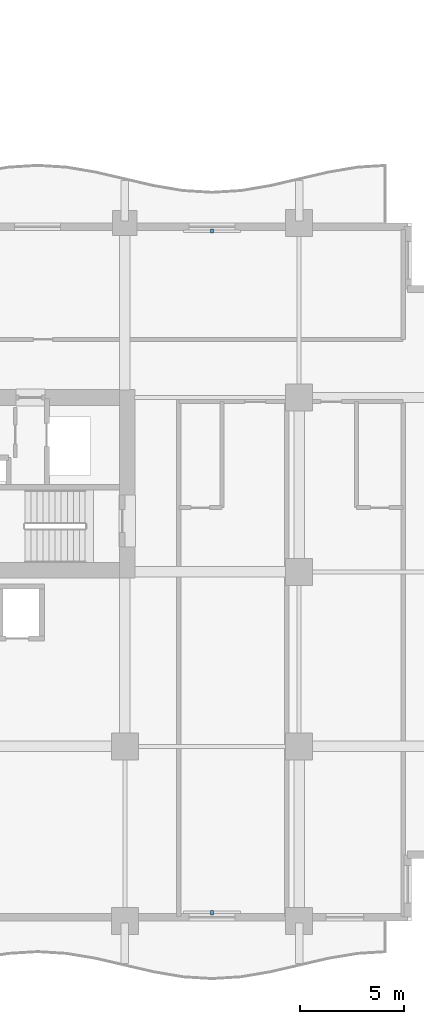
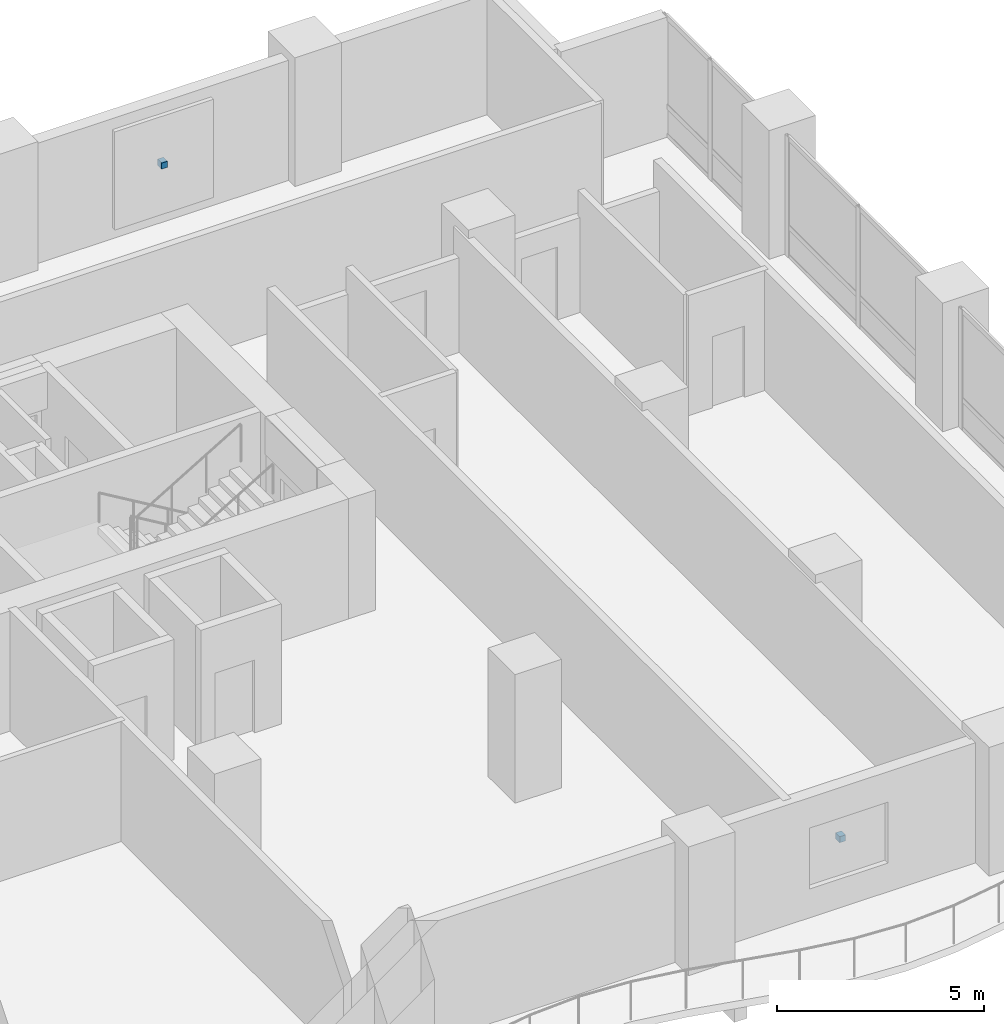
# One storey, part 19 of 24: 2 discrete accessories.
"""IFC4 building model written with IfcOpenShell, lengths in metres."""

from ifc_helpers import new_model, si_unit, direction, frame, origin, origin_2d, place, context, subcontext, project, spatial, rectangle, extrude, material, type_object, element, save


model = new_model("IFC4")

# Units and contexts
model_context = context("Model", 3, precision=1e-05, world=origin(), true_north=direction((0.0, 1.0)))
body_context = subcontext(model_context, "Body", "Model", "MODEL_VIEW")
ifc_project = project(units=[si_unit("LENGTHUNIT", "METRE"), si_unit("AREAUNIT", "SQUARE_METRE"), si_unit("VOLUMEUNIT", "CUBIC_METRE"), si_unit("PLANEANGLEUNIT", "RADIAN"), si_unit("MASSUNIT", "GRAM", prefix="KILO")], contexts=[model_context])

# Site, building, storey
site_placement = place(None, origin())
site = spatial("IfcSite", under=ifc_project, at=site_placement, CompositionType="ELEMENT")
building_placement = place(site_placement, origin())
building = spatial("IfcBuilding", under=site, at=building_placement, Name="Koriwani Terraces Tower", CompositionType="ELEMENT")
storey_placement = place(building_placement, frame((0.0, 0.0, 103.800048828125)))
storey = spatial("IfcBuildingStorey", under=building, at=storey_placement, Name="L24", CompositionType="ELEMENT", Elevation=103.800048828125)

# Discrete accessories
ifc_material = material(Name="Steel ASTM A572 Grade 50", Category="steel")
discrete_accessory_type = type_object("IfcDiscreteAccessoryType", Name="BAGUETTE_STANDOFF_BRACKET", PredefinedType="BRACKET", material=ifc_material)
for number, where, z_axis, x_axis, name in (
    (1, (63.0, 33.2099609375, 1.68505859375), (0.0, 0.0, 1.0), (1.0, 0.0, 0.0), "L24 Terracotta Baguette Bracket (NE-11)"),
    (2, (63.0, 0.389892578125, 1.68505859375), (0.0, 0.0, 1.0), (-1.0, 0.0, 0.0), "L24 Terracotta Baguette Bracket (S-21)"),
):
    element("IfcDiscreteAccessory", number, at=place(storey_placement, frame(where, z_axis=z_axis, x_axis=x_axis)), inside=storey, type_object=discrete_accessory_type, Name=name, PredefinedType="BRACKET", context=body_context, shape_type="SweptSolid", body=[
        extrude(rectangle(XDim=0.159912109375, YDim=0.199951171875, at=origin_2d()), origin(), (0.0, 0.0, 1.0), 0.179931640625),
    ])

save(model, "model.ifc")
